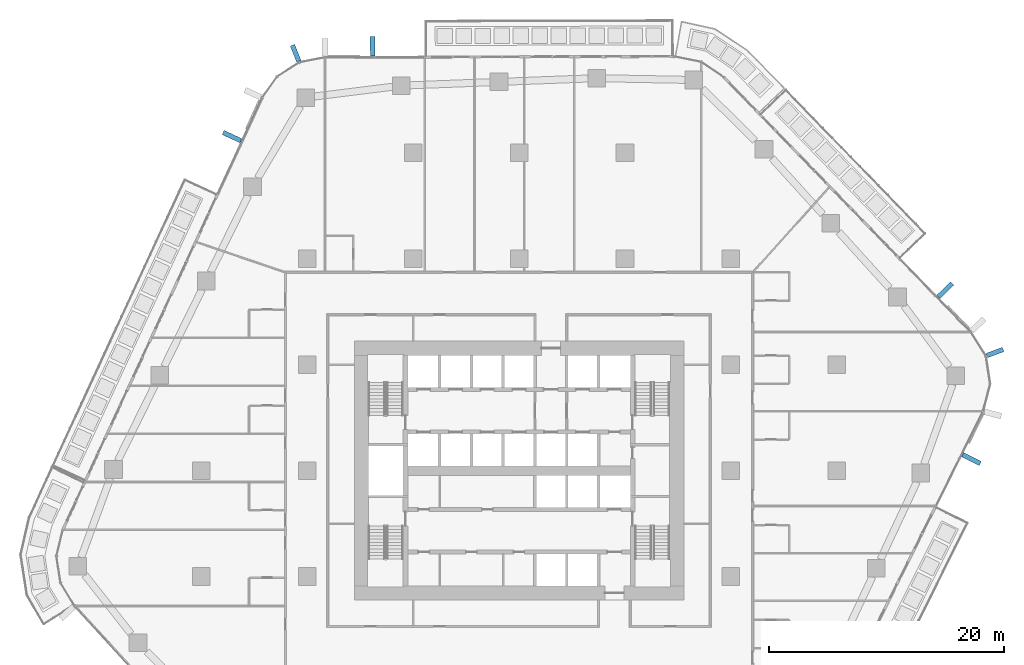
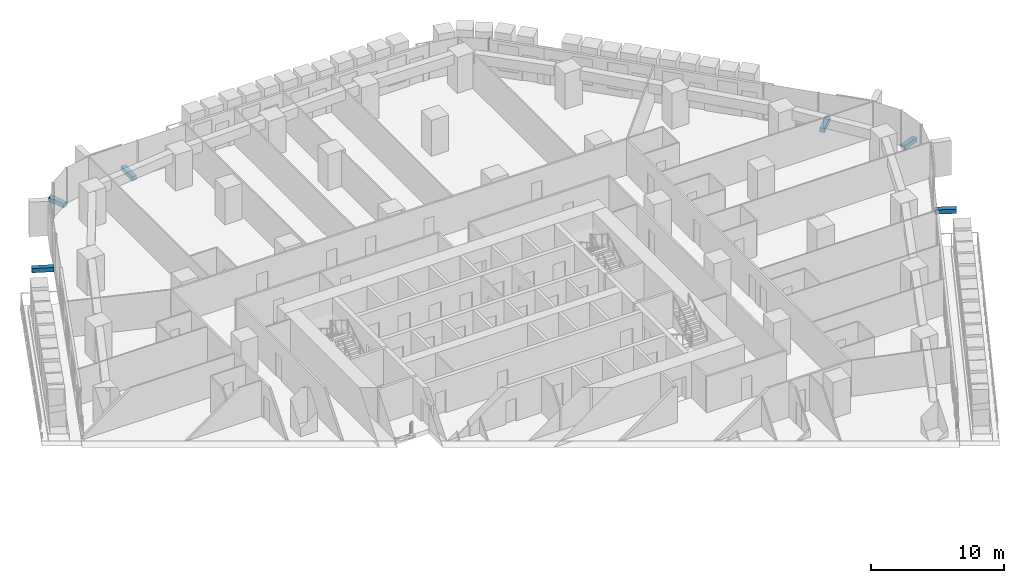
# One storey, part 20 of 27: 6 discrete accessories.
"""IFC4 building model written with IfcOpenShell, lengths in metres."""

from ifc_helpers import new_model, si_unit, direction, frame, origin, origin_2d, place, context, subcontext, project, spatial, rectangle, extrude, material, type_object, element, save


model = new_model("IFC4")

# Units and contexts
model_context = context("Model", 3, precision=1e-05, world=origin(), true_north=direction((0.0, 1.0)))
body_context = subcontext(model_context, "Body", "Model", "MODEL_VIEW")
ifc_project = project(units=[si_unit("LENGTHUNIT", "METRE"), si_unit("AREAUNIT", "SQUARE_METRE"), si_unit("VOLUMEUNIT", "CUBIC_METRE"), si_unit("PLANEANGLEUNIT", "RADIAN"), si_unit("MASSUNIT", "GRAM", prefix="KILO")], contexts=[model_context])

# Site, building, storey
site_placement = place(None, origin())
site = spatial("IfcSite", under=ifc_project, at=site_placement, CompositionType="ELEMENT")
building_placement = place(site_placement, origin())
building = spatial("IfcBuilding", under=site, at=building_placement, Name="Dongbaek Canopy Tower", CompositionType="ELEMENT")
storey_placement = place(building_placement, frame((0.0, 0.0, 58.800048828125)))
storey = spatial("IfcBuildingStorey", under=building, at=storey_placement, Name="L10", CompositionType="ELEMENT", Elevation=58.800048828125)

# Discrete accessories
ifc_material = material(Name="Galvanised steel S355 bracket", Category="steel")
discrete_accessory_type = type_object("IfcDiscreteAccessoryType", Name="Crease fin bracket BR3 400", PredefinedType="BRACKET", material=ifc_material)
discrete_accessory_1_placement = place(storey_placement, frame((38.4375, 0.97998046875, -0.39990234375), z_axis=(0.0, 0.0, 1.0), x_axis=(0.895193538217, -0.445677606724, 0.0)))
element("IfcDiscreteAccessory", 1, at=discrete_accessory_1_placement, inside=storey, type_object=discrete_accessory_type, Name="Crease fin bracket L10 F5", PredefinedType="BRACKET", context=body_context, shape_type="SweptSolid", body=[
    extrude(rectangle(XDim=1.65966796875, YDim=0.39990234375, at=origin_2d()), origin(), (0.0, 0.0, 1.0), 0.39990234375),
])
discrete_accessory_2_placement = place(storey_placement, frame((36.216064453125, 15.3349609375, -0.39990234375), z_axis=(0.0, 0.0, 1.0), x_axis=(0.718003612313, 0.696039375829, 0.0)))
element("IfcDiscreteAccessory", 2, at=discrete_accessory_2_placement, inside=storey, type_object=discrete_accessory_type, Name="Crease fin bracket L10 F0", PredefinedType="BRACKET", context=body_context, shape_type="SweptSolid", body=[
    extrude(rectangle(XDim=1.64599609375, YDim=0.39990234375, at=origin_2d()), origin(), (0.0, 0.0, 1.0), 0.39990234375),
])
discrete_accessory_3_placement = place(storey_placement, frame((-12.447998046875, 36.04931640625, -0.39990234375), z_axis=(0.0, 0.0, 1.0), x_axis=(-0.002665114613, 0.999996448576, 0.0)))
element("IfcDiscreteAccessory", 3, at=discrete_accessory_3_placement, inside=storey, type_object=discrete_accessory_type, Name="Crease fin bracket L10 F1", PredefinedType="BRACKET", context=body_context, shape_type="SweptSolid", body=[
    extrude(rectangle(XDim=1.64990234375, YDim=0.39990234375, at=origin_2d()), origin(), (0.0, 0.0, 1.0), 0.39990234375),
])
discrete_accessory_4_placement = place(storey_placement, frame((-24.39013671875, 28.38134765625, -0.39990234375), z_axis=(0.0, 0.0, 1.0), x_axis=(-0.908073013966, 0.418811892509, 0.0)))
element("IfcDiscreteAccessory", 4, at=discrete_accessory_4_placement, inside=storey, type_object=discrete_accessory_type, Name="Crease fin bracket L10 F2", PredefinedType="BRACKET", context=body_context, shape_type="SweptSolid", body=[
    extrude(rectangle(XDim=1.669189453125, YDim=0.39990234375, at=origin_2d()), origin(), (0.0, 0.0, 1.0), 0.39990234375),
])
for number, where, z_axis, x_axis, name in (
    (5, (40.445556640625, 10.04150390625, -0.39990234375), (0.0, 0.0, 1.0), (0.936154683811, 0.351588407059, 0.0), "Corner fin bracket L10 K0"),
    (6, (-18.986328125, 35.46484375, -0.39990234375), (0.0, 0.0, 1.0), (-0.372155271406, 0.928170487553, 0.0), "Corner fin bracket L10 K2"),
):
    element("IfcDiscreteAccessory", number, at=place(storey_placement, frame(where, z_axis=z_axis, x_axis=x_axis)), inside=storey, type_object=discrete_accessory_type, Name=name, PredefinedType="BRACKET", context=body_context, shape_type="SweptSolid", body=[
        extrude(rectangle(XDim=1.469970703125, YDim=0.39990234375, at=origin_2d()), origin(), (0.0, 0.0, 1.0), 0.39990234375),
    ])

save(model, "model.ifc")
